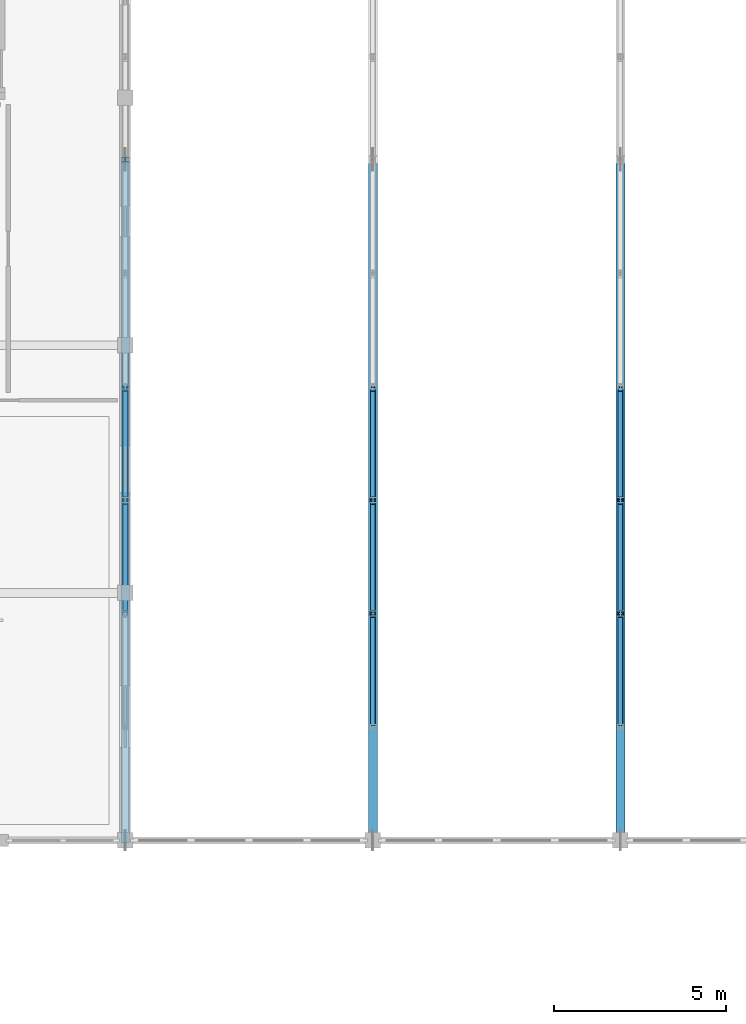
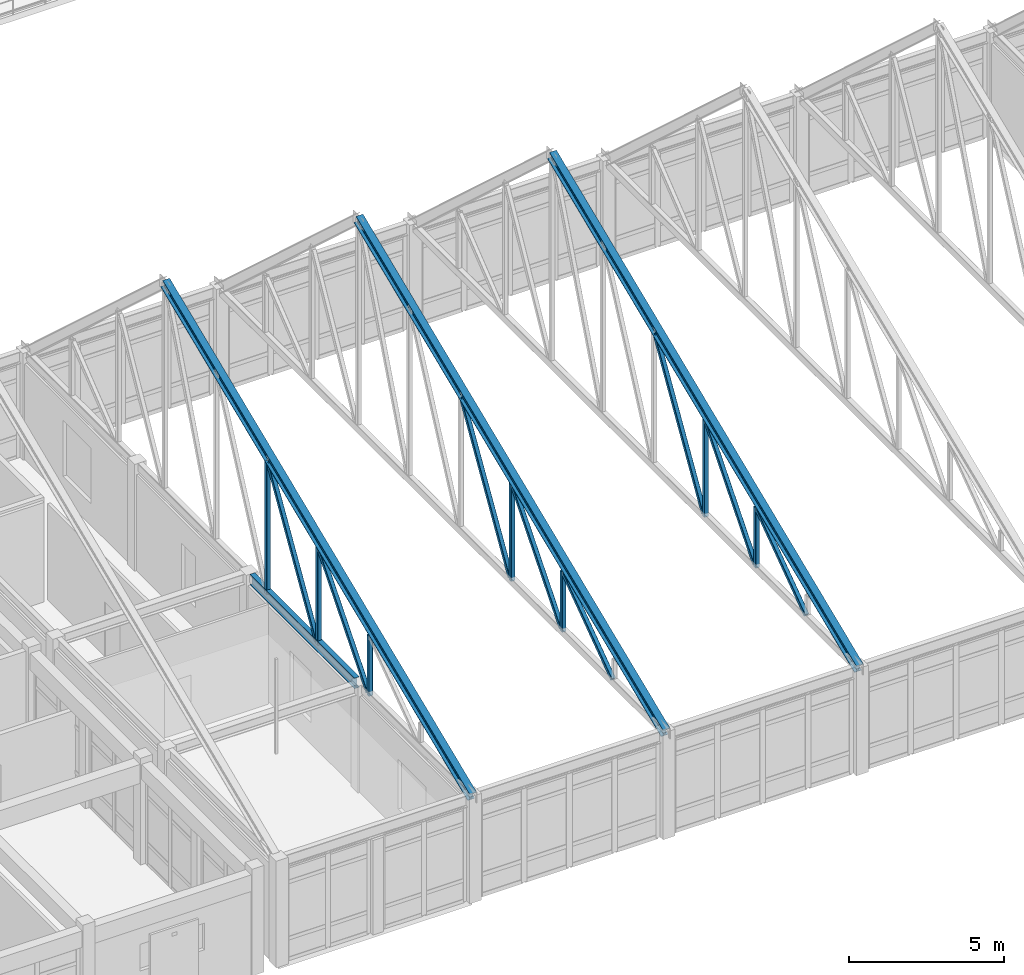
# One storey, part 19 of 136: 18 members, 1 beam.
"""IFC4 building model written with IfcOpenShell, lengths in metres."""

from ifc_helpers import new_model, si_unit, direction, frame, origin, origin_2d, place, context, subcontext, project, spatial, hollow_rectangle, i_section, extrude, material, material_profile, profile_set, type_object, element, save


model = new_model("IFC4")

# Units and contexts
model_context = context("Model", 3, precision=1e-05, world=origin(), true_north=direction((0.0, 1.0)))
body_context = subcontext(model_context, "Body", "Model", "MODEL_VIEW")
ifc_project = project(units=[si_unit("LENGTHUNIT", "METRE"), si_unit("AREAUNIT", "SQUARE_METRE"), si_unit("VOLUMEUNIT", "CUBIC_METRE"), si_unit("PLANEANGLEUNIT", "RADIAN"), si_unit("MASSUNIT", "GRAM", prefix="KILO")], contexts=[model_context])

# Site, building, storey
site_placement = place(None, origin())
site = spatial("IfcSite", under=ifc_project, at=site_placement, CompositionType="ELEMENT")
building_placement = place(site_placement, origin())
building = spatial("IfcBuilding", under=site, at=building_placement, Name="Koriwan Promenade Central Fire Station", CompositionType="ELEMENT")
storey_placement = place(building_placement, frame((0.0, 0.0, 5.39990234375)))
storey = spatial("IfcBuildingStorey", under=building, at=storey_placement, Name="L01", CompositionType="ELEMENT", Elevation=5.39990234375)

# Members
ifc_material_1 = material(Name="Steel ASTM A992 Grade 50", Category="steel")
ifc_material_profile_1 = material_profile(ifc_material_1, i_section(OverallWidth=0.257080078125, OverallDepth=0.363037109375, WebThickness=0.012939453125, FlangeThickness=0.021728515625, FilletRadius=0.014892578125, at=origin_2d()), Name="W360x122")
ifc_profile_set_1 = profile_set([ifc_material_profile_1], Name="Steel ASTM A992 Grade 50")
member_type_1 = type_object("IfcMemberType", Name="Member_CHORD_W360x122", PredefinedType="CHORD", material=ifc_profile_set_1)
for number, where, z_axis, x_axis, name in (
    (1, (64.800048828125, 43.199951171875, 4.02001953125), (0.0, 0.923565717983, 0.383440170777), (-1.0, 0.0, 0.0), "TR_V1_02 south top chord"),
    (2, (72.0, 43.199951171875, 4.02001953125), (0.0, 0.923565717983, 0.383440170777), (-1.0, 0.0, 0.0), "TR_V1_03 south top chord"),
    (3, (79.199951171875, 43.199951171875, 4.02001953125), (0.0, 0.923565717983, 0.383440170777), (-1.0, 0.0, 0.0), "TR_V1_04 south top chord"),
):
    element("IfcMember", number, at=place(storey_placement, frame(where, z_axis=z_axis, x_axis=x_axis)), inside=storey, type_object=member_type_1, Name=name, PredefinedType="CHORD", context=body_context, shape_type="SweptSolid", body=[
        extrude(i_section(OverallWidth=0.257080078125, OverallDepth=0.363037109375, WebThickness=0.012939453125, FlangeThickness=0.021728515625, FilletRadius=0.014892578125, at=origin_2d()), origin(), (0.0, 0.0, 1.0), 21.438720703125),
    ])
ifc_material_2 = material(Name="Steel ASTM A500 Grade C", Category="steel")
ifc_material_profile_2 = material_profile(ifc_material_2, hollow_rectangle(XDim=0.14990234375, YDim=0.14990234375, WallThickness=0.008056640625, InnerFilletRadius=0.008056640625, OuterFilletRadius=0.01611328125, at=origin_2d()), Name="HSS150x150x8")
ifc_profile_set_2 = profile_set([ifc_material_profile_2], Name="Steel ASTM A500 Grade C")
member_type_2 = type_object("IfcMemberType", Name="Member_STRUT_HSS150x150x8", PredefinedType="STRUT", material=ifc_profile_set_2)
member_1_placement = place(storey_placement, frame((64.800048828125, 49.800048828125, 4.02001953125), z_axis=(0.0, 0.0, 1.0), x_axis=(1.0, 0.0, 0.0)))
element("IfcMember", 4, at=member_1_placement, inside=storey, type_object=member_type_2, Name="TR_V1_02 vertical 2", PredefinedType="STRUT", context=body_context, shape_type="SweptSolid", body=[
    extrude(hollow_rectangle(XDim=0.14990234375, YDim=0.14990234375, WallThickness=0.008056640625, InnerFilletRadius=0.008056640625, OuterFilletRadius=0.01611328125, at=origin_2d()), origin(), (0.0, 0.0, 1.0), 2.353759765625),
])
member_2_placement = place(storey_placement, frame((64.800048828125, 53.10009765625, 4.02001953125), z_axis=(0.0, 0.0, 1.0), x_axis=(1.0, 0.0, 0.0)))
element("IfcMember", 5, at=member_2_placement, inside=storey, type_object=member_type_2, Name="TR_V1_02 vertical 3", PredefinedType="STRUT", context=body_context, shape_type="SweptSolid", body=[
    extrude(hollow_rectangle(XDim=0.14990234375, YDim=0.14990234375, WallThickness=0.008056640625, InnerFilletRadius=0.008056640625, OuterFilletRadius=0.01611328125, at=origin_2d()), origin(), (0.0, 0.0, 1.0), 3.8203125),
])
member_3_placement = place(storey_placement, frame((64.800048828125, 56.39990234375, 4.02001953125), z_axis=(0.0, 0.0, 1.0), x_axis=(1.0, 0.0, 0.0)))
element("IfcMember", 6, at=member_3_placement, inside=storey, type_object=member_type_2, Name="TR_V1_02 vertical 4", PredefinedType="STRUT", context=body_context, shape_type="SweptSolid", body=[
    extrude(hollow_rectangle(XDim=0.14990234375, YDim=0.14990234375, WallThickness=0.008056640625, InnerFilletRadius=0.008056640625, OuterFilletRadius=0.01611328125, at=origin_2d()), origin(), (0.0, 0.0, 1.0), 5.287109375),
])
member_4_placement = place(storey_placement, frame((64.800048828125, 49.8798828125, 4.070068359375), z_axis=(0.0, 0.645015567138, 0.764169430264), x_axis=(-1.0, 0.0, 0.0)))
element("IfcMember", 7, at=member_4_placement, inside=storey, type_object=member_type_2, Name="TR_V1_02 web diagonal 3", PredefinedType="STRUT", context=body_context, shape_type="SweptSolid", body=[
    extrude(hollow_rectangle(XDim=0.14990234375, YDim=0.14990234375, WallThickness=0.008056640625, InnerFilletRadius=0.008056640625, OuterFilletRadius=0.01611328125, at=origin_2d()), origin(), (0.0, 0.0, 1.0), 4.868408203125),
])
member_5_placement = place(storey_placement, frame((64.800048828125, 53.179931640625, 4.070068359375), z_axis=(0.0, 0.517878675353, 0.855454076859), x_axis=(-1.0, 0.0, 0.0)))
element("IfcMember", 8, at=member_5_placement, inside=storey, type_object=member_type_2, Name="TR_V1_02 web diagonal 4", PredefinedType="STRUT", context=body_context, shape_type="SweptSolid", body=[
    extrude(hollow_rectangle(XDim=0.14990234375, YDim=0.14990234375, WallThickness=0.008056640625, InnerFilletRadius=0.008056640625, OuterFilletRadius=0.01611328125, at=origin_2d()), origin(), (0.0, 0.0, 1.0), 6.0634765625),
])
member_6_placement = place(storey_placement, frame((72.0, 49.800048828125, 4.02001953125), z_axis=(0.0, 0.0, 1.0), x_axis=(1.0, 0.0, 0.0)))
element("IfcMember", 9, at=member_6_placement, inside=storey, type_object=member_type_2, Name="TR_V1_03 vertical 2", PredefinedType="STRUT", context=body_context, shape_type="SweptSolid", body=[
    extrude(hollow_rectangle(XDim=0.14990234375, YDim=0.14990234375, WallThickness=0.008056640625, InnerFilletRadius=0.008056640625, OuterFilletRadius=0.01611328125, at=origin_2d()), origin(), (0.0, 0.0, 1.0), 2.353759765625),
])
member_7_placement = place(storey_placement, frame((72.0, 53.10009765625, 4.02001953125), z_axis=(0.0, 0.0, 1.0), x_axis=(1.0, 0.0, 0.0)))
element("IfcMember", 10, at=member_7_placement, inside=storey, type_object=member_type_2, Name="TR_V1_03 vertical 3", PredefinedType="STRUT", context=body_context, shape_type="SweptSolid", body=[
    extrude(hollow_rectangle(XDim=0.14990234375, YDim=0.14990234375, WallThickness=0.008056640625, InnerFilletRadius=0.008056640625, OuterFilletRadius=0.01611328125, at=origin_2d()), origin(), (0.0, 0.0, 1.0), 3.8203125),
])
member_8_placement = place(storey_placement, frame((72.0, 46.580078125, 4.070068359375), z_axis=(0.0, 0.812399692359, 0.583100968834), x_axis=(-1.0, 0.0, 0.0)))
element("IfcMember", 11, at=member_8_placement, inside=storey, type_object=member_type_2, Name="TR_V1_03 web diagonal 2", PredefinedType="STRUT", context=body_context, shape_type="SweptSolid", body=[
    extrude(hollow_rectangle(XDim=0.14990234375, YDim=0.14990234375, WallThickness=0.008056640625, InnerFilletRadius=0.008056640625, OuterFilletRadius=0.01611328125, at=origin_2d()), origin(), (0.0, 0.0, 1.0), 3.864990234375),
])
member_9_placement = place(storey_placement, frame((72.0, 49.8798828125, 4.070068359375), z_axis=(0.0, 0.645015567138, 0.764169430264), x_axis=(-1.0, 0.0, 0.0)))
element("IfcMember", 12, at=member_9_placement, inside=storey, type_object=member_type_2, Name="TR_V1_03 web diagonal 3", PredefinedType="STRUT", context=body_context, shape_type="SweptSolid", body=[
    extrude(hollow_rectangle(XDim=0.14990234375, YDim=0.14990234375, WallThickness=0.008056640625, InnerFilletRadius=0.008056640625, OuterFilletRadius=0.01611328125, at=origin_2d()), origin(), (0.0, 0.0, 1.0), 4.868408203125),
])
member_10_placement = place(storey_placement, frame((72.0, 53.179931640625, 4.070068359375), z_axis=(0.0, 0.517878675353, 0.855454076859), x_axis=(-1.0, 0.0, 0.0)))
element("IfcMember", 13, at=member_10_placement, inside=storey, type_object=member_type_2, Name="TR_V1_03 web diagonal 4", PredefinedType="STRUT", context=body_context, shape_type="SweptSolid", body=[
    extrude(hollow_rectangle(XDim=0.14990234375, YDim=0.14990234375, WallThickness=0.008056640625, InnerFilletRadius=0.008056640625, OuterFilletRadius=0.01611328125, at=origin_2d()), origin(), (0.0, 0.0, 1.0), 6.0634765625),
])
member_11_placement = place(storey_placement, frame((79.199951171875, 49.800048828125, 4.02001953125), z_axis=(0.0, 0.0, 1.0), x_axis=(1.0, 0.0, 0.0)))
element("IfcMember", 14, at=member_11_placement, inside=storey, type_object=member_type_2, Name="TR_V1_04 vertical 2", PredefinedType="STRUT", context=body_context, shape_type="SweptSolid", body=[
    extrude(hollow_rectangle(XDim=0.14990234375, YDim=0.14990234375, WallThickness=0.008056640625, InnerFilletRadius=0.008056640625, OuterFilletRadius=0.01611328125, at=origin_2d()), origin(), (0.0, 0.0, 1.0), 2.353759765625),
])
member_12_placement = place(storey_placement, frame((79.199951171875, 53.10009765625, 4.02001953125), z_axis=(0.0, 0.0, 1.0), x_axis=(1.0, 0.0, 0.0)))
element("IfcMember", 15, at=member_12_placement, inside=storey, type_object=member_type_2, Name="TR_V1_04 vertical 3", PredefinedType="STRUT", context=body_context, shape_type="SweptSolid", body=[
    extrude(hollow_rectangle(XDim=0.14990234375, YDim=0.14990234375, WallThickness=0.008056640625, InnerFilletRadius=0.008056640625, OuterFilletRadius=0.01611328125, at=origin_2d()), origin(), (0.0, 0.0, 1.0), 3.8203125),
])
member_13_placement = place(storey_placement, frame((79.199951171875, 46.580078125, 4.070068359375), z_axis=(0.0, 0.812399692359, 0.583100968834), x_axis=(-1.0, 0.0, 0.0)))
element("IfcMember", 16, at=member_13_placement, inside=storey, type_object=member_type_2, Name="TR_V1_04 web diagonal 2", PredefinedType="STRUT", context=body_context, shape_type="SweptSolid", body=[
    extrude(hollow_rectangle(XDim=0.14990234375, YDim=0.14990234375, WallThickness=0.008056640625, InnerFilletRadius=0.008056640625, OuterFilletRadius=0.01611328125, at=origin_2d()), origin(), (0.0, 0.0, 1.0), 3.864990234375),
])
member_14_placement = place(storey_placement, frame((79.199951171875, 49.8798828125, 4.070068359375), z_axis=(0.0, 0.645015567138, 0.764169430264), x_axis=(-1.0, 0.0, 0.0)))
element("IfcMember", 17, at=member_14_placement, inside=storey, type_object=member_type_2, Name="TR_V1_04 web diagonal 3", PredefinedType="STRUT", context=body_context, shape_type="SweptSolid", body=[
    extrude(hollow_rectangle(XDim=0.14990234375, YDim=0.14990234375, WallThickness=0.008056640625, InnerFilletRadius=0.008056640625, OuterFilletRadius=0.01611328125, at=origin_2d()), origin(), (0.0, 0.0, 1.0), 4.868408203125),
])
member_15_placement = place(storey_placement, frame((79.199951171875, 53.179931640625, 4.070068359375), z_axis=(0.0, 0.517878675353, 0.855454076859), x_axis=(-1.0, 0.0, 0.0)))
element("IfcMember", 18, at=member_15_placement, inside=storey, type_object=member_type_2, Name="TR_V1_04 web diagonal 4", PredefinedType="STRUT", context=body_context, shape_type="SweptSolid", body=[
    extrude(hollow_rectangle(XDim=0.14990234375, YDim=0.14990234375, WallThickness=0.008056640625, InnerFilletRadius=0.008056640625, OuterFilletRadius=0.01611328125, at=origin_2d()), origin(), (0.0, 0.0, 1.0), 6.0634765625),
])

# Beam
ifc_material_profile_3 = material_profile(ifc_material_1, i_section(OverallWidth=0.180908203125, OverallDepth=0.4169921875, WebThickness=0.010986328125, FlangeThickness=0.018310546875, FilletRadius=0.01611328125, at=origin_2d()), Name="W410x85")
ifc_profile_set_3 = profile_set([ifc_material_profile_3], Name="Steel ASTM A992 Grade 50")
beam_type = type_object("IfcBeamType", Name="SteelBeam_W410x85", PredefinedType="BEAM", material=ifc_profile_set_3)
beam_placement = place(storey_placement, frame((64.800048828125, 50.625, 3.99169921875), z_axis=(0.0, 1.0, 0.0), x_axis=(-1.0, 0.0, 0.0)))
element("IfcBeam", 19, at=beam_placement, inside=storey, type_object=beam_type, Name="V1 L01 girder Y-67", PredefinedType="BEAM", context=body_context, shape_type="SweptSolid", body=[
    extrude(i_section(OverallWidth=0.180908203125, OverallDepth=0.4169921875, WebThickness=0.010986328125, FlangeThickness=0.018310546875, FilletRadius=0.01611328125, at=origin_2d()), origin(), (0.0, 0.0, 1.0), 6.75),
])

save(model, "model.ifc")
